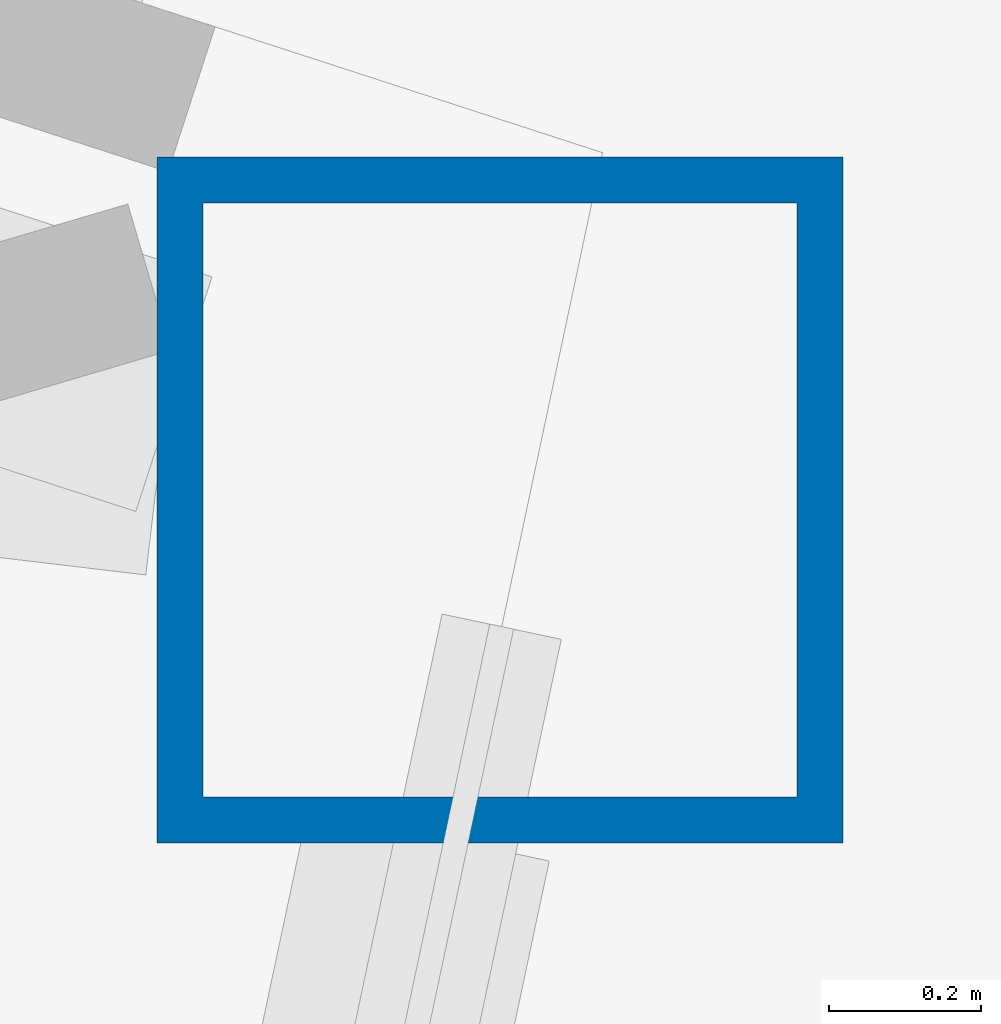
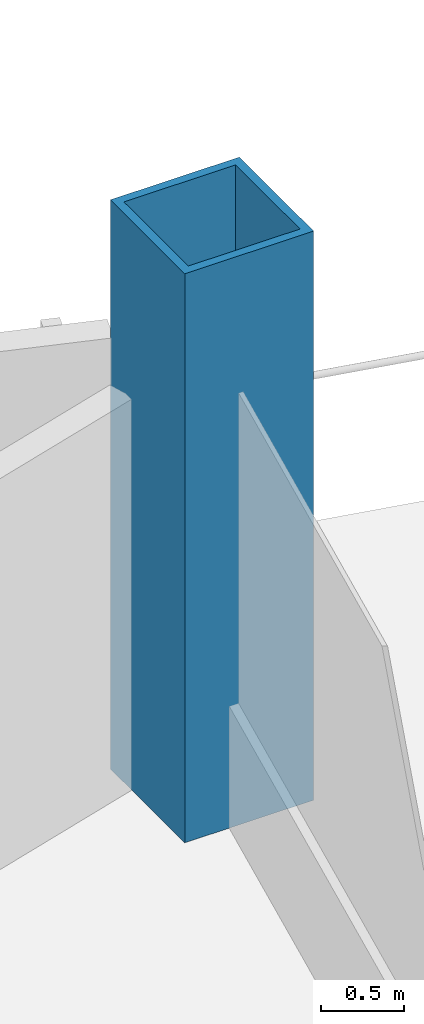
# One storey, part 2 of 21: 1 column.
"""IFC4 building model written with IfcOpenShell, lengths in metres."""

import ifcopenshell
import ifcopenshell.guid

model = None  # the IFC model being written
_history = None  # IfcOwnerHistory: only IFC2X3 demands one
_inside = {}  # id of a spatial element -> (the spatial element, [elements in it])
_under = {}  # id of a project, library or spatial element -> (it, [spatial elements below it])
_declared = {}  # id of a project -> (the project, [libraries it declares])
_typed = {}  # id of a type object -> (the type object, [elements of that type])
_made_of = {}  # id of a material, layer set ... -> (it, [elements and type objects made of it])


def new_model(schema):
    """Start an empty IFC model of exactly this schema.

    Asked for "IFC4X3", IfcOpenShell would pick the latest addendum, in which some entities
    have other attributes; the version numbers below select the first issue.
    IFC2X3 requires an IfcOwnerHistory on every rooted entity: one is made here for all.
    """
    global model, _history
    if schema == "IFC4X3":
        model = ifcopenshell.file(schema_version=(4, 3, 0, 0))
    else:
        model = ifcopenshell.file(schema=schema)
    _inside.clear()
    _under.clear()
    _declared.clear()
    _typed.clear()
    _made_of.clear()
    _history = None
    if model.schema == "IFC2X3":
        org = make("IfcOrganization", Name="unknown")
        user = make(
            "IfcPersonAndOrganization",
            ThePerson=make("IfcPerson", FamilyName="unknown"),
            TheOrganization=org,
        )
        app = make(
            "IfcApplication",
            ApplicationDeveloper=org,
            Version="unknown",
            ApplicationFullName="unknown",
            ApplicationIdentifier="unknown",
        )
        _history = make(
            "IfcOwnerHistory",
            OwningUser=user,
            OwningApplication=app,
            ChangeAction="ADDED",
            CreationDate=0,
        )
    return model


def make(cls, **values):
    """One entity of the class cls with the attributes given. An attribute that is None is left unset."""
    return model.create_entity(
        cls, **{name: value for name, value in values.items() if value is not None}
    )


def rooted(cls, **values):
    """An entity with a GlobalId (a new one), such as an element, a storey or a relation."""
    return make(cls, GlobalId=ifcopenshell.guid.new(), OwnerHistory=_history, **values)


def si_unit(unit_type, name, prefix=None):
    """IfcSIUnit, for example si_unit("LENGTHUNIT", "METRE", prefix="MILLI")."""
    return make("IfcSIUnit", UnitType=unit_type, Prefix=prefix, Name=name)


def assignment(units):
    """IfcUnitAssignment: the units of a project."""
    return None if units is None else make("IfcUnitAssignment", Units=units)


def point(xyz):
    """IfcCartesianPoint."""
    return None if xyz is None else make("IfcCartesianPoint", Coordinates=xyz)


def direction(xyz):
    """IfcDirection."""
    return None if xyz is None else make("IfcDirection", DirectionRatios=xyz)


def frame(location, z_axis=None, x_axis=None):
    """IfcAxis2Placement3D, a coordinate frame: its origin and axes. An axis left out is left unset."""
    return make(
        "IfcAxis2Placement3D",
        Location=point(location),
        Axis=direction(z_axis),
        RefDirection=direction(x_axis),
    )


def frame_2d(location, x_axis=None):
    """IfcAxis2Placement2D, a coordinate frame in the plane: its origin and x axis."""
    return make(
        "IfcAxis2Placement2D", Location=point(location), RefDirection=direction(x_axis)
    )


def origin():
    """The frame at (0, 0, 0) with its axes left unset."""
    return frame((0.0, 0.0, 0.0))


def origin_2d():
    """The frame at (0, 0) in the plane with its x axis left unset."""
    return frame_2d((0.0, 0.0))


def place(relative_to, where):
    """IfcLocalPlacement: puts the frame where relative to a parent placement (None: the world)."""
    return make(
        "IfcLocalPlacement", PlacementRelTo=relative_to, RelativePlacement=where
    )


def context(
    kind, dimensions, precision=None, world=None, true_north=None, identifier=None
):
    """IfcGeometricRepresentationContext, for example the 3D "Model" context."""
    return make(
        "IfcGeometricRepresentationContext",
        ContextIdentifier=identifier,
        ContextType=kind,
        CoordinateSpaceDimension=dimensions,
        Precision=precision,
        WorldCoordinateSystem=world,
        TrueNorth=true_north,
    )


def subcontext(parent, identifier, kind, view, scale=None):
    """IfcGeometricRepresentationSubContext, for example "Body" below "Model"."""
    return make(
        "IfcGeometricRepresentationSubContext",
        ContextIdentifier=identifier,
        ContextType=kind,
        ParentContext=parent,
        TargetScale=scale,
        TargetView=view,
    )


def project(units=None, contexts=None):
    """IfcProject with its units and contexts."""
    return rooted(
        "IfcProject",
        Name="project",
        RepresentationContexts=contexts,
        UnitsInContext=assignment(units),
    )


def spatial(cls, under=None, at=None, **own):
    """A site, building, storey or space (cls), placed at a placement, below another one or the project."""
    s = rooted(cls, ObjectPlacement=at, **own)
    if under is not None:
        _under.setdefault(under.id(), (under, []))[1].append(s)
    return s


def profile(cls, at=None, kind="AREA", **sizes):
    """A parametric profile (cls). Its sizes go by their IFC names, for example OverallWidth=200.0."""
    return make(cls, ProfileType=kind, Position=at, **sizes)


def hollow_rectangle(**sizes):
    """IfcRectangleHollowProfileDef."""
    return profile("IfcRectangleHollowProfileDef", **sizes)


def extrude(swept, where, along, depth):
    """IfcExtrudedAreaSolid: the profile swept, set in the frame where, extruded along a direction by depth."""
    return make(
        "IfcExtrudedAreaSolid",
        SweptArea=swept,
        Position=where,
        ExtrudedDirection=direction(along),
        Depth=depth,
    )


def shape(context_of_items, identifier, shape_type, items):
    """IfcShapeRepresentation: the items that make up one representation, for example the "Body"."""
    return make(
        "IfcShapeRepresentation",
        ContextOfItems=context_of_items,
        RepresentationIdentifier=identifier,
        RepresentationType=shape_type,
        Items=items,
    )


def material(Name=None, Category=None):
    """IfcMaterial."""
    return make("IfcMaterial", Name=Name, Category=Category)


def material_profile(
    of_material, cross_section, Name=None, Category=None, Priority=None
):
    """IfcMaterialProfile: a cross section and its material."""
    return make(
        "IfcMaterialProfile",
        Name=Name,
        Material=of_material,
        Profile=cross_section,
        Priority=Priority,
        Category=Category,
    )


def profile_set(profiles, Name=None, composite=None):
    """IfcMaterialProfileSet."""
    return make(
        "IfcMaterialProfileSet",
        Name=Name,
        MaterialProfiles=profiles,
        CompositeProfile=composite,
    )


def made_of(thing, what):
    """Note that an element or type object is made of a material, layer set ...; save() writes the relation."""
    if what is not None:
        _made_of.setdefault(what.id(), (what, []))[1].append(thing)
    return thing


def type_object(cls, material=None, **own):
    """A type object (cls), such as IfcWallType, which elements share."""
    return made_of(rooted(cls, **own), material)


def element(
    cls,
    number,
    at=None,
    inside=None,
    cuts=None,
    type_object=None,
    material=None,
    context=None,
    identifier="Body",
    shape_type=None,
    held_by="IfcProductDefinitionShape",
    body=None,
    shapes=None,
    **own,
):
    """One element of the class cls, such as IfcWall. Its Tag is "e" and its number.

    at: its placement. inside: the storey or other place that contains it. cuts: it is an
    opening in that element (IfcRelVoidsElement). A single representation is given by context,
    identifier, shape_type and body (its items); several are given by shapes. held_by: the class
    of the entity that holds the representations. save() writes the other relations.
    """
    e = rooted(cls, Tag="e%d" % number, ObjectPlacement=at, **own)
    if body is not None:
        shapes = [shape(context, identifier, shape_type, body)]
    if shapes is not None:
        e.Representation = make(held_by, Representations=shapes)
    if inside is not None:
        _inside.setdefault(inside.id(), (inside, []))[1].append(e)
    if cuts is not None:
        rooted(
            "IfcRelVoidsElement", RelatingBuildingElement=cuts, RelatedOpeningElement=e
        )
    if type_object is not None:
        _typed.setdefault(type_object.id(), (type_object, []))[1].append(e)
    return made_of(e, material)


def aggregate(whole, parts):
    """IfcRelAggregates: a whole, such as a stair, and the parts it consists of."""
    return rooted("IfcRelAggregates", RelatingObject=whole, RelatedObjects=parts)


def save(model, path):
    """Write the relations noted so far, then the file.

    IfcRelAggregates (storeys below a building ...), IfcRelContainedInSpatialStructure (elements
    in a storey), IfcRelDefinesByType, IfcRelAssociatesMaterial and IfcRelDeclares: one each for
    every whole, place, type object, material and project.
    """
    for whole, parts in _under.values():
        aggregate(whole, parts)
    for where, things in _inside.values():
        rooted(
            "IfcRelContainedInSpatialStructure",
            RelatedElements=things,
            RelatingStructure=where,
        )
    for kind, things in _typed.values():
        rooted("IfcRelDefinesByType", RelatedObjects=things, RelatingType=kind)
    for what, things in _made_of.values():
        rooted("IfcRelAssociatesMaterial", RelatedObjects=things, RelatingMaterial=what)
    for by, libraries in _declared.values():
        rooted("IfcRelDeclares", RelatingContext=by, RelatedDefinitions=libraries)
    model.write(path)


model = new_model("IFC4")

# Units and contexts
model_context = context("Model", 3, precision=1e-05, world=origin(), true_north=direction((0.0, 1.0)))
body_context = subcontext(model_context, "Body", "Model", "MODEL_VIEW")
ifc_project = project(units=[si_unit("LENGTHUNIT", "METRE"), si_unit("AREAUNIT", "SQUARE_METRE"), si_unit("VOLUMEUNIT", "CUBIC_METRE"), si_unit("PLANEANGLEUNIT", "RADIAN"), si_unit("MASSUNIT", "GRAM", prefix="KILO")], contexts=[model_context])

# Site, building, storey
site_placement = place(None, origin())
site = spatial("IfcSite", under=ifc_project, at=site_placement, CompositionType="ELEMENT")
building_placement = place(site_placement, origin())
building = spatial("IfcBuilding", under=site, at=building_placement, Name="Cormorant Prow Tower", CompositionType="ELEMENT")
storey_placement = place(building_placement, frame((0.0, 0.0, 120.60009765625)))
storey = spatial("IfcBuildingStorey", under=building, at=storey_placement, Name="L25", CompositionType="ELEMENT", Elevation=120.60009765625)

# Column
ifc_material = material(Name="Structural steel ASTM A572 Gr 50", Category="steel")
ifc_material_profile = material_profile(ifc_material, hollow_rectangle(XDim=0.89990234375, YDim=0.89990234375, WallThickness=0.06005859375, at=origin_2d()), Name="Box 900x900x60")
ifc_profile_set = profile_set([ifc_material_profile], Name="Structural steel ASTM A572 Gr 50")
column_type = type_object("IfcColumnType", Name="Perimeter box column 900x900x60", PredefinedType="COLUMN", material=ifc_profile_set)
column_placement = place(storey_placement, frame((32.1962890625, -4.967041015625, 0.0), z_axis=(0.0, 0.0, 1.0), x_axis=(1.0, 0.0, 0.0)))
element("IfcColumn", 1, at=column_placement, inside=storey, type_object=column_type, Name="Perimeter column C3 at ENE01 L25", PredefinedType="COLUMN", context=body_context, shape_type="SweptSolid", body=[
    extrude(hollow_rectangle(XDim=0.89990234375, YDim=0.89990234375, WallThickness=0.06005859375, at=origin_2d()), origin(), (0.0, 0.0, 1.0), 4.199951171875),
])

save(model, "model.ifc")
